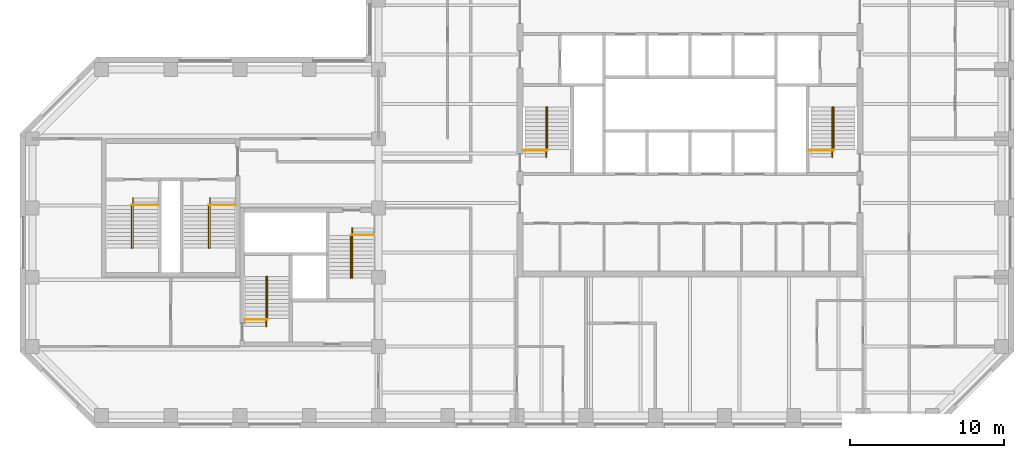
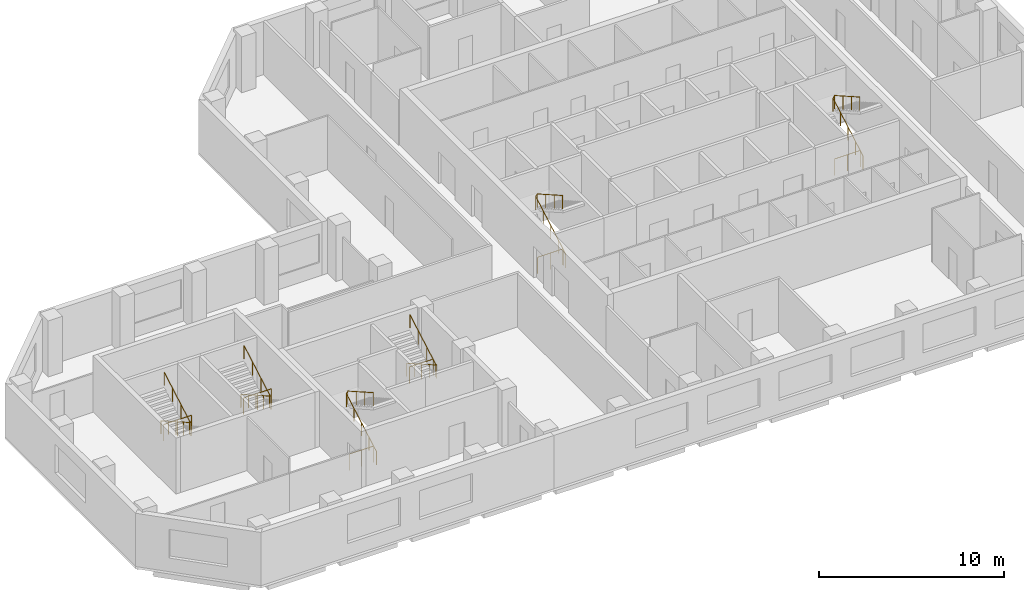
# One storey, part 9 of 9: 12 railings.
"""IFC4 building model written with IfcOpenShell, lengths in metres."""

from ifc_helpers import new_model, si_unit, direction, frame, origin, origin_2d, place, context, subcontext, project, spatial, circle, extrude, material, type_object, element, save


model = new_model("IFC4")

# Units and contexts
model_context = context("Model", 3, precision=1e-05, world=origin(), true_north=direction((0.0, 1.0)))
body_context = subcontext(model_context, "Body", "Model", "MODEL_VIEW")
ifc_project = project(units=[si_unit("LENGTHUNIT", "METRE"), si_unit("AREAUNIT", "SQUARE_METRE"), si_unit("VOLUMEUNIT", "CUBIC_METRE"), si_unit("PLANEANGLEUNIT", "RADIAN"), si_unit("MASSUNIT", "GRAM", prefix="KILO")], contexts=[model_context])

# Site, building, storey
site_placement = place(None, origin())
site = spatial("IfcSite", under=ifc_project, at=site_placement, CompositionType="ELEMENT")
building_placement = place(site_placement, origin())
building = spatial("IfcBuilding", under=site, at=building_placement, Name="Quoin Convention Tower", CompositionType="ELEMENT")
storey_placement = place(building_placement, frame((0.0, 0.0, 226.699951171875)))
storey = spatial("IfcBuildingStorey", under=building, at=storey_placement, Name="L59", CompositionType="ELEMENT", Elevation=226.699951171875)

# Railings
ifc_material = material(Name="Stainless steel", Category="steel")
railing_type_1 = type_object("IfcRailingType", Name="Stair handrail 900", PredefinedType="HANDRAIL", material=ifc_material)
railing_1_placement = place(storey_placement, frame((46.905029296875, 57.300048828125, 0.142333984375)))
element("IfcRailing", 1, at=railing_1_placement, inside=storey, type_object=railing_type_1, Name="SD1 handrail 1", PredefinedType="HANDRAIL", context=body_context, shape_type="SweptSolid", body=[
    extrude(circle(Radius=0.02392578125, at=origin_2d()), frame((0.0, 0.0, 0.8759765625), z_axis=(0.0, 0.869053504361, 0.494718108177), x_axis=(-1.0, 0.0, 0.0)), (0.0, 0.0, 1.0), 3.73974609375),
    extrude(circle(Radius=0.02392578125, at=origin_2d()), frame((0.0, 3.25, 2.72607421875), z_axis=(0.53481069233, 0.0, 0.844971906852), x_axis=(0.0, 1.0, 0.0)), (0.0, 0.0, 1.0), 0.16845703125),
    extrude(circle(Radius=0.02392578125, at=origin_2d()), frame((0.090087890625, 3.25, 2.8681640625), z_axis=(0.0, -0.869091777644, 0.494650868828), x_axis=(1.0, 0.0, 0.0)), (0.0, 0.0, 1.0), 3.164306640625),
    extrude(circle(Radius=0.02099609375, at=origin_2d()), origin(), (0.0, 0.0, 1.0), 0.851806640625),
    extrude(circle(Radius=0.02099609375, at=origin_2d()), frame((0.0, 0.8125, 0.46240234375)), (0.0, 0.0, 1.0), 0.851806640625),
    extrude(circle(Radius=0.02099609375, at=origin_2d()), frame((0.0, 1.625, 0.925048828125)), (0.0, 0.0, 1.0), 0.851806640625),
    extrude(circle(Radius=0.02099609375, at=origin_2d()), frame((0.0, 2.4375, 1.3876953125)), (0.0, 0.0, 1.0), 0.851806640625),
    extrude(circle(Radius=0.02099609375, at=origin_2d()), frame((0.0, 3.25, 1.85009765625)), (0.0, 0.0, 1.0), 0.851806640625),
    extrude(circle(Radius=0.02099609375, at=origin_2d()), frame((0.090087890625, 3.25, 1.992431640625)), (0.0, 0.0, 1.0), 0.851806640625),
    extrude(circle(Radius=0.02099609375, at=origin_2d()), frame((0.090087890625, 2.333251953125, 2.51416015625)), (0.0, 0.0, 1.0), 0.851806640625),
    extrude(circle(Radius=0.02099609375, at=origin_2d()), frame((0.090087890625, 1.416748046875, 3.035888671875)), (0.0, 0.0, 1.0), 0.851806640625),
    extrude(circle(Radius=0.02099609375, at=origin_2d()), frame((0.090087890625, 0.5, 3.5576171875)), (0.0, 0.0, 1.0), 0.851806640625),
])
railing_2_placement = place(storey_placement, frame((65.5048828125, 57.300048828125, 0.142333984375)))
element("IfcRailing", 2, at=railing_2_placement, inside=storey, type_object=railing_type_1, Name="SD2 handrail 1", PredefinedType="HANDRAIL", context=body_context, shape_type="SweptSolid", body=[
    extrude(circle(Radius=0.02392578125, at=origin_2d()), frame((0.0, 0.0, 0.8759765625), z_axis=(0.0, 0.869053504361, 0.494718108177), x_axis=(-1.0, 0.0, 0.0)), (0.0, 0.0, 1.0), 3.73974609375),
    extrude(circle(Radius=0.02392578125, at=origin_2d()), frame((0.0, 3.25, 2.72607421875), z_axis=(0.53481069233, 0.0, 0.844971906852), x_axis=(0.0, 1.0, 0.0)), (0.0, 0.0, 1.0), 0.16845703125),
    extrude(circle(Radius=0.02392578125, at=origin_2d()), frame((0.090087890625, 3.25, 2.8681640625), z_axis=(0.0, -0.869091777644, 0.494650868828), x_axis=(1.0, 0.0, 0.0)), (0.0, 0.0, 1.0), 3.164306640625),
    extrude(circle(Radius=0.02099609375, at=origin_2d()), origin(), (0.0, 0.0, 1.0), 0.851806640625),
    extrude(circle(Radius=0.02099609375, at=origin_2d()), frame((0.0, 0.8125, 0.46240234375)), (0.0, 0.0, 1.0), 0.851806640625),
    extrude(circle(Radius=0.02099609375, at=origin_2d()), frame((0.0, 1.625, 0.925048828125)), (0.0, 0.0, 1.0), 0.851806640625),
    extrude(circle(Radius=0.02099609375, at=origin_2d()), frame((0.0, 2.4375, 1.3876953125)), (0.0, 0.0, 1.0), 0.851806640625),
    extrude(circle(Radius=0.02099609375, at=origin_2d()), frame((0.0, 3.25, 1.85009765625)), (0.0, 0.0, 1.0), 0.851806640625),
    extrude(circle(Radius=0.02099609375, at=origin_2d()), frame((0.090087890625, 3.25, 1.992431640625)), (0.0, 0.0, 1.0), 0.851806640625),
    extrude(circle(Radius=0.02099609375, at=origin_2d()), frame((0.090087890625, 2.333251953125, 2.51416015625)), (0.0, 0.0, 1.0), 0.851806640625),
    extrude(circle(Radius=0.02099609375, at=origin_2d()), frame((0.090087890625, 1.416748046875, 3.035888671875)), (0.0, 0.0, 1.0), 0.851806640625),
    extrude(circle(Radius=0.02099609375, at=origin_2d()), frame((0.090087890625, 0.5, 3.5576171875)), (0.0, 0.0, 1.0), 0.851806640625),
])
railing_3_placement = place(storey_placement, frame((28.705078125, 46.300048828125, 0.142333984375)))
element("IfcRailing", 3, at=railing_3_placement, inside=storey, type_object=railing_type_1, Name="SD3 handrail 1", PredefinedType="HANDRAIL", context=body_context, shape_type="SweptSolid", body=[
    extrude(circle(Radius=0.02392578125, at=origin_2d()), frame((0.0, 0.0, 0.8759765625), z_axis=(0.0, 0.869053504361, 0.494718108177), x_axis=(-1.0, 0.0, 0.0)), (0.0, 0.0, 1.0), 3.73974609375),
    extrude(circle(Radius=0.02392578125, at=origin_2d()), frame((0.0, 3.25, 2.72607421875), z_axis=(0.533774684331, 0.0, 0.845626741753), x_axis=(0.0, 1.0, 0.0)), (0.0, 0.0, 1.0), 0.168212890625),
    extrude(circle(Radius=0.02392578125, at=origin_2d()), frame((0.08984375, 3.25, 2.8681640625), z_axis=(0.0, -0.869091777644, 0.494650868828), x_axis=(1.0, 0.0, 0.0)), (0.0, 0.0, 1.0), 3.164306640625),
    extrude(circle(Radius=0.02099609375, at=origin_2d()), origin(), (0.0, 0.0, 1.0), 0.851806640625),
    extrude(circle(Radius=0.02099609375, at=origin_2d()), frame((0.0, 0.8125, 0.46240234375)), (0.0, 0.0, 1.0), 0.851806640625),
    extrude(circle(Radius=0.02099609375, at=origin_2d()), frame((0.0, 1.625, 0.925048828125)), (0.0, 0.0, 1.0), 0.851806640625),
    extrude(circle(Radius=0.02099609375, at=origin_2d()), frame((0.0, 2.4375, 1.3876953125)), (0.0, 0.0, 1.0), 0.851806640625),
    extrude(circle(Radius=0.02099609375, at=origin_2d()), frame((0.0, 3.25, 1.85009765625)), (0.0, 0.0, 1.0), 0.851806640625),
    extrude(circle(Radius=0.02099609375, at=origin_2d()), frame((0.08984375, 3.25, 1.992431640625)), (0.0, 0.0, 1.0), 0.851806640625),
    extrude(circle(Radius=0.02099609375, at=origin_2d()), frame((0.08984375, 2.333251953125, 2.51416015625)), (0.0, 0.0, 1.0), 0.851806640625),
    extrude(circle(Radius=0.02099609375, at=origin_2d()), frame((0.08984375, 1.416748046875, 3.035888671875)), (0.0, 0.0, 1.0), 0.851806640625),
    extrude(circle(Radius=0.02099609375, at=origin_2d()), frame((0.08984375, 0.5, 3.5576171875)), (0.0, 0.0, 1.0), 0.851806640625),
])
railing_4_placement = place(storey_placement, frame((34.294921875, 52.699951171875, 0.142333984375)))
element("IfcRailing", 4, at=railing_4_placement, inside=storey, type_object=railing_type_1, Name="SD4 handrail 1", PredefinedType="HANDRAIL", context=body_context, shape_type="SweptSolid", body=[
    extrude(circle(Radius=0.02392578125, at=origin_2d()), frame((0.0, 0.0, 0.8759765625), z_axis=(0.0, -0.869053504361, 0.494718108177), x_axis=(1.0, 0.0, 0.0)), (0.0, 0.0, 1.0), 3.73974609375),
    extrude(circle(Radius=0.02392578125, at=origin_2d()), frame((0.0, -3.25, 2.72607421875), z_axis=(-0.533774684331, 0.0, 0.845626741753), x_axis=(0.0, -1.0, 0.0)), (0.0, 0.0, 1.0), 0.168212890625),
    extrude(circle(Radius=0.02392578125, at=origin_2d()), frame((-0.08984375, -3.25, 2.8681640625), z_axis=(0.0, 0.869091777644, 0.494650868828), x_axis=(-1.0, 0.0, 0.0)), (0.0, 0.0, 1.0), 3.164306640625),
    extrude(circle(Radius=0.02099609375, at=origin_2d()), origin(), (0.0, 0.0, 1.0), 0.851806640625),
    extrude(circle(Radius=0.02099609375, at=origin_2d()), frame((0.0, -0.8125, 0.46240234375)), (0.0, 0.0, 1.0), 0.851806640625),
    extrude(circle(Radius=0.02099609375, at=origin_2d()), frame((0.0, -1.625, 0.925048828125)), (0.0, 0.0, 1.0), 0.851806640625),
    extrude(circle(Radius=0.02099609375, at=origin_2d()), frame((0.0, -2.4375, 1.3876953125)), (0.0, 0.0, 1.0), 0.851806640625),
    extrude(circle(Radius=0.02099609375, at=origin_2d()), frame((0.0, -3.25, 1.85009765625)), (0.0, 0.0, 1.0), 0.851806640625),
    extrude(circle(Radius=0.02099609375, at=origin_2d()), frame((-0.08984375, -3.25, 1.992431640625)), (0.0, 0.0, 1.0), 0.851806640625),
    extrude(circle(Radius=0.02099609375, at=origin_2d()), frame((-0.08984375, -2.333251953125, 2.51416015625)), (0.0, 0.0, 1.0), 0.851806640625),
    extrude(circle(Radius=0.02099609375, at=origin_2d()), frame((-0.08984375, -1.416748046875, 3.035888671875)), (0.0, 0.0, 1.0), 0.851806640625),
    extrude(circle(Radius=0.02099609375, at=origin_2d()), frame((-0.08984375, -0.5, 3.5576171875)), (0.0, 0.0, 1.0), 0.851806640625),
])
railing_5_placement = place(storey_placement, frame((20.044921875, 54.64990234375, 0.142333984375)))
element("IfcRailing", 5, at=railing_5_placement, inside=storey, type_object=railing_type_1, Name="SD11 handrail 1", PredefinedType="HANDRAIL", context=body_context, shape_type="SweptSolid", body=[
    extrude(circle(Radius=0.02392578125, at=origin_2d()), frame((0.0, 0.0, 0.8759765625), z_axis=(0.0, -0.869053504361, 0.494718108177), x_axis=(1.0, 0.0, 0.0)), (0.0, 0.0, 1.0), 3.73974609375),
    extrude(circle(Radius=0.02392578125, at=origin_2d()), frame((0.0, -3.25, 2.72607421875), z_axis=(-0.533774684331, 0.0, 0.845626741753), x_axis=(0.0, -1.0, 0.0)), (0.0, 0.0, 1.0), 0.168212890625),
    extrude(circle(Radius=0.02392578125, at=origin_2d()), frame((-0.08984375, -3.25, 2.8681640625), z_axis=(0.0, 0.869091777644, 0.494650868828), x_axis=(-1.0, 0.0, 0.0)), (0.0, 0.0, 1.0), 3.164306640625),
    extrude(circle(Radius=0.02099609375, at=origin_2d()), origin(), (0.0, 0.0, 1.0), 0.851806640625),
    extrude(circle(Radius=0.02099609375, at=origin_2d()), frame((0.0, -0.8125, 0.46240234375)), (0.0, 0.0, 1.0), 0.851806640625),
    extrude(circle(Radius=0.02099609375, at=origin_2d()), frame((0.0, -1.625, 0.925048828125)), (0.0, 0.0, 1.0), 0.851806640625),
    extrude(circle(Radius=0.02099609375, at=origin_2d()), frame((0.0, -2.4375, 1.3876953125)), (0.0, 0.0, 1.0), 0.851806640625),
    extrude(circle(Radius=0.02099609375, at=origin_2d()), frame((0.0, -3.25, 1.85009765625)), (0.0, 0.0, 1.0), 0.851806640625),
    extrude(circle(Radius=0.02099609375, at=origin_2d()), frame((-0.08984375, -3.25, 1.992431640625)), (0.0, 0.0, 1.0), 0.851806640625),
    extrude(circle(Radius=0.02099609375, at=origin_2d()), frame((-0.08984375, -2.333251953125, 2.51416015625)), (0.0, 0.0, 1.0), 0.851806640625),
    extrude(circle(Radius=0.02099609375, at=origin_2d()), frame((-0.08984375, -1.416748046875, 3.035888671875)), (0.0, 0.0, 1.0), 0.851806640625),
    extrude(circle(Radius=0.02099609375, at=origin_2d()), frame((-0.08984375, -0.5, 3.5576171875)), (0.0, 0.0, 1.0), 0.851806640625),
])
railing_6_placement = place(storey_placement, frame((25.044921875, 54.64990234375, 0.142333984375)))
element("IfcRailing", 6, at=railing_6_placement, inside=storey, type_object=railing_type_1, Name="SD12 handrail 1", PredefinedType="HANDRAIL", context=body_context, shape_type="SweptSolid", body=[
    extrude(circle(Radius=0.02392578125, at=origin_2d()), frame((0.0, 0.0, 0.8759765625), z_axis=(0.0, -0.869053504361, 0.494718108177), x_axis=(1.0, 0.0, 0.0)), (0.0, 0.0, 1.0), 3.73974609375),
    extrude(circle(Radius=0.02392578125, at=origin_2d()), frame((0.0, -3.25, 2.72607421875), z_axis=(-0.533774684331, 0.0, 0.845626741753), x_axis=(0.0, -1.0, 0.0)), (0.0, 0.0, 1.0), 0.168212890625),
    extrude(circle(Radius=0.02392578125, at=origin_2d()), frame((-0.08984375, -3.25, 2.8681640625), z_axis=(0.0, 0.869091777644, 0.494650868828), x_axis=(-1.0, 0.0, 0.0)), (0.0, 0.0, 1.0), 3.164306640625),
    extrude(circle(Radius=0.02099609375, at=origin_2d()), origin(), (0.0, 0.0, 1.0), 0.851806640625),
    extrude(circle(Radius=0.02099609375, at=origin_2d()), frame((0.0, -0.8125, 0.46240234375)), (0.0, 0.0, 1.0), 0.851806640625),
    extrude(circle(Radius=0.02099609375, at=origin_2d()), frame((0.0, -1.625, 0.925048828125)), (0.0, 0.0, 1.0), 0.851806640625),
    extrude(circle(Radius=0.02099609375, at=origin_2d()), frame((0.0, -2.4375, 1.3876953125)), (0.0, 0.0, 1.0), 0.851806640625),
    extrude(circle(Radius=0.02099609375, at=origin_2d()), frame((0.0, -3.25, 1.85009765625)), (0.0, 0.0, 1.0), 0.851806640625),
    extrude(circle(Radius=0.02099609375, at=origin_2d()), frame((-0.08984375, -3.25, 1.992431640625)), (0.0, 0.0, 1.0), 0.851806640625),
    extrude(circle(Radius=0.02099609375, at=origin_2d()), frame((-0.08984375, -2.333251953125, 2.51416015625)), (0.0, 0.0, 1.0), 0.851806640625),
    extrude(circle(Radius=0.02099609375, at=origin_2d()), frame((-0.08984375, -1.416748046875, 3.035888671875)), (0.0, 0.0, 1.0), 0.851806640625),
    extrude(circle(Radius=0.02099609375, at=origin_2d()), frame((-0.08984375, -0.5, 3.5576171875)), (0.0, 0.0, 1.0), 0.851806640625),
])
railing_type_2 = type_object("IfcRailingType", Name="Stair top guard 1100", PredefinedType="GUARDRAIL", material=ifc_material)
railing_7_placement = place(storey_placement, frame((45.39990234375, 57.75, 0.0)))
element("IfcRailing", 7, at=railing_7_placement, inside=storey, type_object=railing_type_2, Name="SD1 top guard", PredefinedType="GUARDRAIL", context=body_context, shape_type="SweptSolid", body=[
    extrude(circle(Radius=0.02392578125, at=origin_2d()), frame((0.0, 0.0, 1.076171875), z_axis=(1.0, 0.0, 0.0), x_axis=(0.0, 1.0, 0.0)), (0.0, 0.0, 1.0), 1.59521484375),
    extrude(circle(Radius=0.02099609375, at=origin_2d()), origin(), (0.0, 0.0, 1.0), 1.052001953125),
    extrude(circle(Radius=0.02099609375, at=origin_2d()), frame((0.797607421875, 0.0, 0.0)), (0.0, 0.0, 1.0), 1.052001953125),
    extrude(circle(Radius=0.02099609375, at=origin_2d()), frame((1.59521484375, 0.0, 0.0)), (0.0, 0.0, 1.0), 1.052001953125),
])
railing_8_placement = place(storey_placement, frame((64.0, 57.75, 0.0)))
element("IfcRailing", 8, at=railing_8_placement, inside=storey, type_object=railing_type_2, Name="SD2 top guard", PredefinedType="GUARDRAIL", context=body_context, shape_type="SweptSolid", body=[
    extrude(circle(Radius=0.02392578125, at=origin_2d()), frame((0.0, 0.0, 1.076171875), z_axis=(1.0, 0.0, 0.0), x_axis=(0.0, 1.0, 0.0)), (0.0, 0.0, 1.0), 1.594970703125),
    extrude(circle(Radius=0.02099609375, at=origin_2d()), origin(), (0.0, 0.0, 1.0), 1.052001953125),
    extrude(circle(Radius=0.02099609375, at=origin_2d()), frame((0.79736328125, 0.0, 0.0)), (0.0, 0.0, 1.0), 1.052001953125),
    extrude(circle(Radius=0.02099609375, at=origin_2d()), frame((1.594970703125, 0.0, 0.0)), (0.0, 0.0, 1.0), 1.052001953125),
])
railing_9_placement = place(storey_placement, frame((27.300048828125, 46.75, 0.0)))
element("IfcRailing", 9, at=railing_9_placement, inside=storey, type_object=railing_type_2, Name="SD3 top guard", PredefinedType="GUARDRAIL", context=body_context, shape_type="SweptSolid", body=[
    extrude(circle(Radius=0.02392578125, at=origin_2d()), frame((0.0, 0.0, 1.076171875), z_axis=(1.0, 0.0, 0.0), x_axis=(0.0, 1.0, 0.0)), (0.0, 0.0, 1.0), 1.494873046875),
    extrude(circle(Radius=0.02099609375, at=origin_2d()), origin(), (0.0, 0.0, 1.0), 1.052001953125),
    extrude(circle(Radius=0.02099609375, at=origin_2d()), frame((0.74755859375, 0.0, 0.0)), (0.0, 0.0, 1.0), 1.052001953125),
    extrude(circle(Radius=0.02099609375, at=origin_2d()), frame((1.494873046875, 0.0, 0.0)), (0.0, 0.0, 1.0), 1.052001953125),
])
railing_10_placement = place(storey_placement, frame((35.699951171875, 52.25, 0.0)))
element("IfcRailing", 10, at=railing_10_placement, inside=storey, type_object=railing_type_2, Name="SD4 top guard", PredefinedType="GUARDRAIL", context=body_context, shape_type="SweptSolid", body=[
    extrude(circle(Radius=0.02392578125, at=origin_2d()), frame((0.0, 0.0, 1.076171875), z_axis=(-1.0, 0.0, 0.0), x_axis=(0.0, -1.0, 0.0)), (0.0, 0.0, 1.0), 1.494873046875),
    extrude(circle(Radius=0.02099609375, at=origin_2d()), origin(), (0.0, 0.0, 1.0), 1.052001953125),
    extrude(circle(Radius=0.02099609375, at=origin_2d()), frame((-0.74755859375, 0.0, 0.0)), (0.0, 0.0, 1.0), 1.052001953125),
    extrude(circle(Radius=0.02099609375, at=origin_2d()), frame((-1.494873046875, 0.0, 0.0)), (0.0, 0.0, 1.0), 1.052001953125),
])
for number, where, name in (
    (11, (21.699951171875, 54.199951171875, 0.0), "SD11 top guard"),
    (12, (26.699951171875, 54.199951171875, 0.0), "SD12 top guard"),
):
    element("IfcRailing", number, at=place(storey_placement, frame(where)), inside=storey, type_object=railing_type_2, Name=name, PredefinedType="GUARDRAIL", context=body_context, shape_type="SweptSolid", body=[
        extrude(circle(Radius=0.02392578125, at=origin_2d()), frame((0.0, 0.0, 1.076171875), z_axis=(-1.0, 0.0, 0.0), x_axis=(0.0, -1.0, 0.0)), (0.0, 0.0, 1.0), 1.744873046875),
        extrude(circle(Radius=0.02099609375, at=origin_2d()), origin(), (0.0, 0.0, 1.0), 1.052001953125),
        extrude(circle(Radius=0.02099609375, at=origin_2d()), frame((-0.87255859375, 0.0, 0.0)), (0.0, 0.0, 1.0), 1.052001953125),
        extrude(circle(Radius=0.02099609375, at=origin_2d()), frame((-1.744873046875, 0.0, 0.0)), (0.0, 0.0, 1.0), 1.052001953125),
    ])

save(model, "model.ifc")
